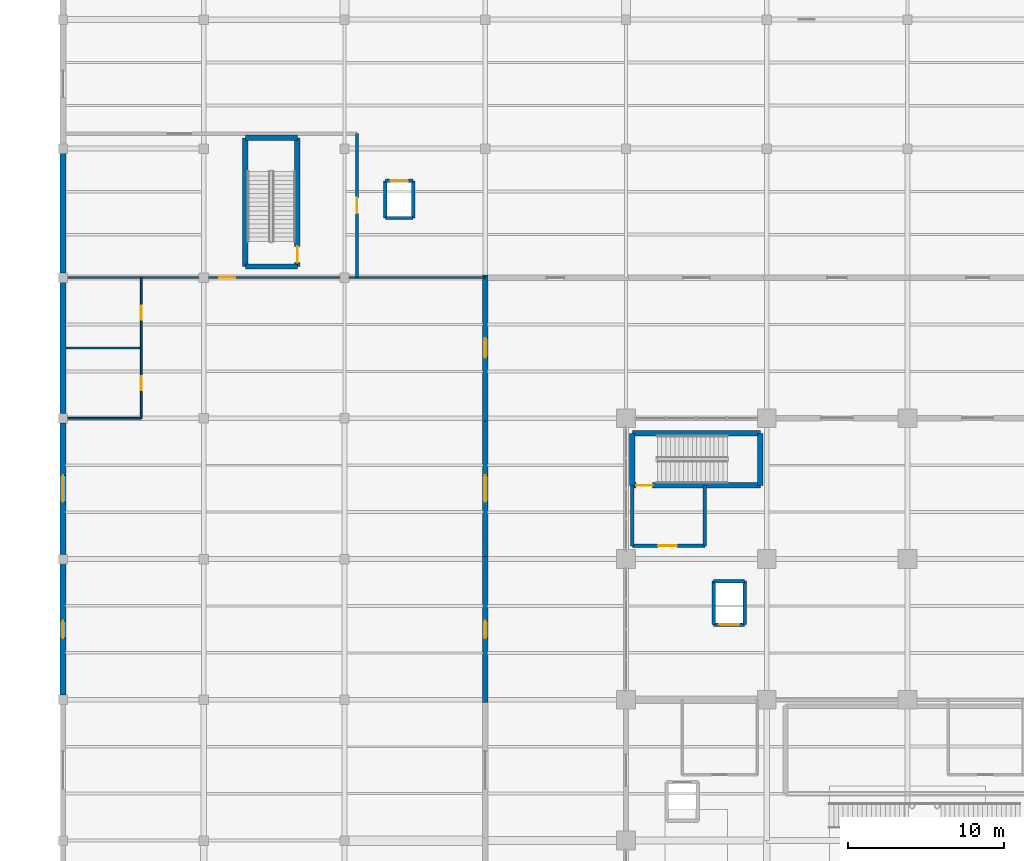
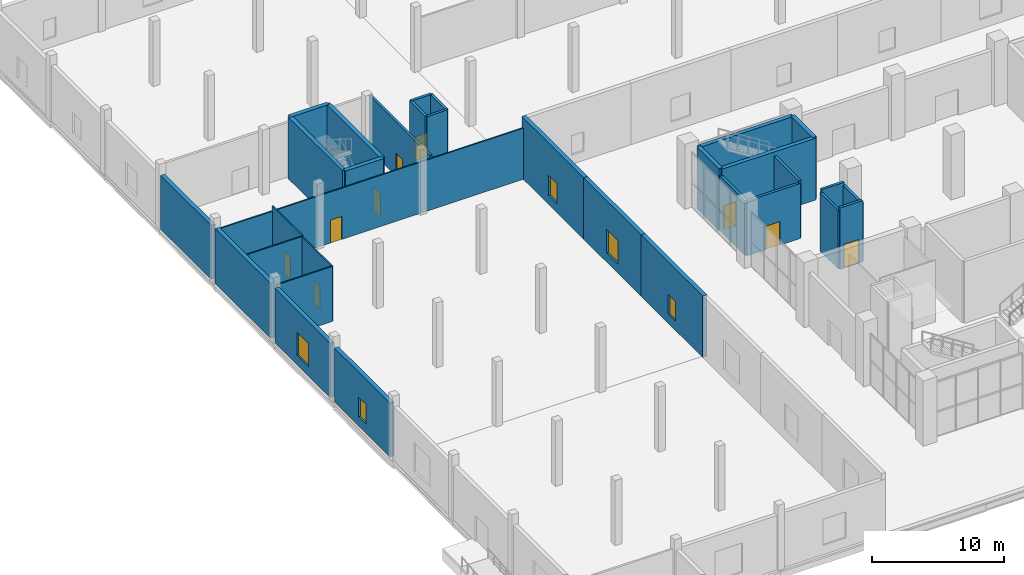
# One storey, part 126 of 144: 32 walls, 9 doors, 5 windows, 14 openings.
"""IFC4 building model written with IfcOpenShell, lengths in metres."""

from ifc_helpers import new_model, si_unit, direction, frame, frame_2d, origin, place, context, subcontext, project, spatial, rectangle, extrude, material, layer, layer_set, type_object, element, fill, save


model = new_model("IFC4")

# Units and contexts
model_context = context("Model", 3, precision=1e-05, world=origin(), true_north=direction((0.0, 1.0)))
body_context = subcontext(model_context, "Body", "Model", "MODEL_VIEW")
ifc_project = project(units=[si_unit("LENGTHUNIT", "METRE"), si_unit("AREAUNIT", "SQUARE_METRE"), si_unit("VOLUMEUNIT", "CUBIC_METRE"), si_unit("PLANEANGLEUNIT", "RADIAN"), si_unit("MASSUNIT", "GRAM", prefix="KILO")], contexts=[model_context])

# Site, building, storey
site_placement = place(None, origin())
site = spatial("IfcSite", under=ifc_project, at=site_placement, CompositionType="ELEMENT")
building_placement = place(site_placement, origin())
building = spatial("IfcBuilding", under=site, at=building_placement, Name="Sundgate Opera House", CompositionType="ELEMENT")
storey_placement = place(building_placement, origin())
storey = spatial("IfcBuildingStorey", under=building, at=storey_placement, Name="L00", CompositionType="ELEMENT", Elevation=0.0)

# Wall, opening, door
ifc_material_1 = material(Name="Concrete C40/50", Category="concrete")
ifc_layer_1 = layer(ifc_material_1, 0.35009765625)
ifc_layer_set_1 = layer_set([ifc_layer_1], Name="Concrete C40/50")
wall_type_1 = type_object("IfcWallType", Name="WL-CORE-350", PredefinedType="SHEAR", material=ifc_layer_set_1)
wall_1_placement = place(storey_placement, frame((36.409912109375, 73.7099609375, 0.0), z_axis=(0.0, 0.0, 1.0), x_axis=(1.0, 0.0, 0.0)))
wall_1 = element("IfcWall", 1, at=wall_1_placement, inside=storey, type_object=wall_type_1, Name="L00 C2 South Shaft Wall", PredefinedType="SHEAR", context=body_context, shape_type="SweptSolid", body=[
    extrude(rectangle(XDim=8.18017578125, YDim=0.35009765625, at=frame_2d((4.090087890625, 0.0))), origin(), (0.0, 0.0, 1.0), 5.699951171875),
])
opening_1_placement = place(wall_1_placement, frame((0.239990234375, 0.0, 0.0)))
opening_1 = element("IfcOpeningElement", 2, at=opening_1_placement, cuts=wall_1, Name="Opening DI01", PredefinedType="OPENING", context=body_context, shape_type="SweptSolid", body=[
    extrude(rectangle(XDim=1.050048828125, YDim=2.179931640625, at=frame_2d((0.52490234375, 1.08984375))), frame((0.0, 0.18505859375, 0.0), z_axis=(0.0, -1.0, 0.0), x_axis=(1.0, 0.0, 0.0)), (0.0, 0.0, 1.0), 0.3701171875),
])
ifc_material_2 = material(Name="Acoustic hardwood timber and steel core", Category="steel")
door_type_1 = type_object("IfcDoorType", Name="DR-STAIR-1050x2180", OperationType="NOTDEFINED", PredefinedType="DOOR", material=ifc_material_2)
door_1_placement = place(opening_1_placement, origin())
door_1 = element("IfcDoor", 3, at=door_1_placement, inside=storey, type_object=door_type_1, Name="L00 C2 Stair Door D0034", OperationType="SINGLE_SWING_RIGHT", OverallHeight=2.179931640625, OverallWidth=1.050048828125, PredefinedType="DOOR", context=body_context, shape_type="SweptSolid", body=[
    extrude(rectangle(XDim=1.050048828125, YDim=2.179931640625, at=frame_2d((0.52490234375, 1.08984375))), frame((0.0, 0.02490234375, 0.0), z_axis=(0.0, -1.0, 0.0), x_axis=(1.0, 0.0, 0.0)), (0.0, 0.0, 1.0), 0.050048828125),
])
fill(opening_1, door_1)

# Walls
wall_2_placement = place(storey_placement, frame((36.409912109375, 77.0400390625, 0.0), z_axis=(0.0, 0.0, 1.0), x_axis=(1.0, 0.0, 0.0)))
element("IfcWall", 4, at=wall_2_placement, inside=storey, type_object=wall_type_1, Name="L00 C2 North Shaft Wall", PredefinedType="SHEAR", context=body_context, shape_type="SweptSolid", body=[
    extrude(rectangle(XDim=8.18017578125, YDim=0.35009765625, at=frame_2d((4.090087890625, 0.0))), origin(), (0.0, 0.0, 1.0), 5.699951171875),
])
for number, where, z_axis, x_axis, name in (
    (5, (36.409912109375, 73.7099609375, 0.0), (0.0, 0.0, 1.0), (0.0, 1.0, 0.0), "L00 C2 West Shaft Wall"),
    (6, (44.590087890625, 73.7099609375, 0.0), (0.0, 0.0, 1.0), (0.0, 1.0, 0.0), "L00 C2 East Shaft Wall"),
    (7, (11.659912109375, 87.7099609375, 0.0), (0.0, 0.0, 1.0), (1.0, 0.0, 0.0), "L00 C8 South Shaft Wall"),
    (8, (11.659912109375, 95.93994140625, 0.0), (0.0, 0.0, 1.0), (1.0, 0.0, 0.0), "L00 C8 North Shaft Wall"),
):
    element("IfcWall", number, at=place(storey_placement, frame(where, z_axis=z_axis, x_axis=x_axis)), inside=storey, type_object=wall_type_1, Name=name, PredefinedType="SHEAR", context=body_context, shape_type="SweptSolid", body=[
        extrude(rectangle(XDim=3.330078125, YDim=0.35009765625, at=frame_2d((1.6650390625, 0.0))), origin(), (0.0, 0.0, 1.0), 5.699951171875),
    ])
wall_3_placement = place(storey_placement, frame((11.659912109375, 87.7099609375, 0.0), z_axis=(0.0, 0.0, 1.0), x_axis=(0.0, 1.0, 0.0)))
element("IfcWall", 9, at=wall_3_placement, inside=storey, type_object=wall_type_1, Name="L00 C8 West Shaft Wall", PredefinedType="SHEAR", context=body_context, shape_type="SweptSolid", body=[
    extrude(rectangle(XDim=8.22998046875, YDim=0.35009765625, at=frame_2d((4.114990234375, 0.0))), origin(), (0.0, 0.0, 1.0), 5.699951171875),
])

# Wall, opening, door
wall_4_placement = place(storey_placement, frame((14.989990234375, 87.7099609375, 0.0), z_axis=(0.0, 0.0, 1.0), x_axis=(0.0, 1.0, 0.0)))
wall_4 = element("IfcWall", 10, at=wall_4_placement, inside=storey, type_object=wall_type_1, Name="L00 C8 East Shaft Wall", PredefinedType="SHEAR", context=body_context, shape_type="SweptSolid", body=[
    extrude(rectangle(XDim=8.22998046875, YDim=0.35009765625, at=frame_2d((4.114990234375, 0.0))), origin(), (0.0, 0.0, 1.0), 5.699951171875),
])
opening_2_placement = place(wall_4_placement, frame((0.239990234375, 0.0, 0.0)))
opening_2 = element("IfcOpeningElement", 11, at=opening_2_placement, cuts=wall_4, Name="Opening DI01", PredefinedType="OPENING", context=body_context, shape_type="SweptSolid", body=[
    extrude(rectangle(XDim=1.050048828125, YDim=2.179931640625, at=frame_2d((0.52490234375, 1.08984375))), frame((0.0, 0.18505859375, 0.0), z_axis=(0.0, -1.0, 0.0), x_axis=(1.0, 0.0, 0.0)), (0.0, 0.0, 1.0), 0.3701171875),
])
door_2_placement = place(opening_2_placement, origin())
door_2 = element("IfcDoor", 12, at=door_2_placement, inside=storey, type_object=door_type_1, Name="L00 C8 Stair Door D0088", OperationType="SINGLE_SWING_RIGHT", OverallHeight=2.179931640625, OverallWidth=1.050048828125, PredefinedType="DOOR", context=body_context, shape_type="SweptSolid", body=[
    extrude(rectangle(XDim=1.050048828125, YDim=2.179931640625, at=frame_2d((0.52490234375, 1.08984375))), frame((0.0, 0.02490234375, 0.0), z_axis=(0.0, -1.0, 0.0), x_axis=(1.0, 0.0, 0.0)), (0.0, 0.0, 1.0), 0.050048828125),
])
fill(opening_2, door_2)

# Wall
ifc_material_3 = material(Name="Scanian red-brown facing brick masonry", Category="masonry")
ifc_layer_2 = layer(ifc_material_3, 0.360107421875)
ifc_layer_set_2 = layer_set([ifc_layer_2], Name="Scanian red-brown facing brick masonry")
wall_type_2 = type_object("IfcWallType", Name="WL-EXT-BRICK-360", PredefinedType="SOLIDWALL", material=ifc_layer_set_2)
wall_5_placement = place(storey_placement, frame((0.0, 94.955078125, 0.0), z_axis=(0.0, 0.0, 1.0), x_axis=(0.0, -1.0, 0.0)))
element("IfcWall", 13, at=wall_5_placement, inside=storey, type_object=wall_type_2, Name="L00 Costume Wing West Wall W0356", PredefinedType="SOLIDWALL", context=body_context, shape_type="SweptSolid", body=[
    extrude(rectangle(XDim=7.66015625, YDim=0.360107421875, at=frame_2d((3.830078125, 0.0))), origin(), (0.0, 0.0, 1.0), 4.965087890625),
])

# Wall, opening, window
wall_6_placement = place(storey_placement, frame((0.0, 68.705078125, 0.0), z_axis=(0.0, 0.0, 1.0), x_axis=(0.0, -1.0, 0.0)))
wall_6 = element("IfcWall", 14, at=wall_6_placement, inside=storey, type_object=wall_type_2, Name="L00 Costume Wing West_Link Wall W0364", PredefinedType="SOLIDWALL", context=body_context, shape_type="SweptSolid", body=[
    extrude(rectangle(XDim=8.41015625, YDim=0.360107421875, at=frame_2d((4.205078125, 0.0))), origin(), (0.0, 0.0, 1.0), 4.965087890625),
])
opening_3_placement = place(wall_6_placement, frame((3.655029296875, 0.0, 0.85009765625)))
opening_3 = element("IfcOpeningElement", 15, at=opening_3_placement, cuts=wall_6, Name="Opening W12", PredefinedType="OPENING", context=body_context, shape_type="SweptSolid", body=[
    extrude(rectangle(XDim=1.10009765625, YDim=1.800048828125, at=frame_2d((0.550048828125, 0.89990234375))), frame((0.0, 0.18994140625, 0.0), z_axis=(0.0, -1.0, 0.0), x_axis=(1.0, 0.0, 0.0)), (0.0, 0.0, 1.0), 0.380126953125),
])
ifc_material_4 = material(Name="Low-iron triple glazing in patinated bronze frame", Category="glass")
window_type_1 = type_object("IfcWindowType", Name="WN-STAGE-1100x1800", PartitioningType="SINGLE_PANEL", PredefinedType="WINDOW", material=ifc_material_4)
window_1_placement = place(opening_3_placement, origin())
window_1 = element("IfcWindow", 16, at=window_1_placement, inside=storey, type_object=window_type_1, Name="L00 Costume Pavilion Window WN0279", OverallHeight=1.800048828125, OverallWidth=1.10009765625, PartitioningType="SINGLE_PANEL", PredefinedType="WINDOW", context=body_context, shape_type="SweptSolid", body=[
    extrude(rectangle(XDim=1.10009765625, YDim=1.800048828125, at=frame_2d((0.550048828125, 0.89990234375))), frame((0.0, 0.030029296875, 0.0), z_axis=(0.0, -1.0, 0.0), x_axis=(1.0, 0.0, 0.0)), (0.0, 0.0, 1.0), 0.06005859375),
])
fill(opening_3, window_1)

wall_7_placement = place(storey_placement, frame((27.0, 59.840087890625, 0.0), z_axis=(0.0, 0.0, 1.0), x_axis=(0.0, 1.0, 0.0)))
wall_7 = element("IfcWall", 17, at=wall_7_placement, inside=storey, type_object=wall_type_2, Name="L00 Costume Wing East_Link Wall W0365", PredefinedType="SOLIDWALL", context=body_context, shape_type="SweptSolid", body=[
    extrude(rectangle(XDim=9.31982421875, YDim=0.360107421875, at=frame_2d((4.659912109375, 0.0))), origin(), (0.0, 0.0, 1.0), 5.6650390625),
])
opening_4_placement = place(wall_7_placement, frame((4.110107421875, 0.0, 0.85009765625)))
opening_4 = element("IfcOpeningElement", 18, at=opening_4_placement, cuts=wall_7, Name="Opening W12", PredefinedType="OPENING", context=body_context, shape_type="SweptSolid", body=[
    extrude(rectangle(XDim=1.10009765625, YDim=1.800048828125, at=frame_2d((0.550048828125, 0.89990234375))), frame((0.0, 0.18994140625, 0.0), z_axis=(0.0, -1.0, 0.0), x_axis=(1.0, 0.0, 0.0)), (0.0, 0.0, 1.0), 0.380126953125),
])
window_2_placement = place(opening_4_placement, origin())
window_2 = element("IfcWindow", 19, at=window_2_placement, inside=storey, type_object=window_type_1, Name="L00 Costume Pavilion Window WN0280", OverallHeight=1.800048828125, OverallWidth=1.10009765625, PartitioningType="SINGLE_PANEL", PredefinedType="WINDOW", context=body_context, shape_type="SweptSolid", body=[
    extrude(rectangle(XDim=1.10009765625, YDim=1.800048828125, at=frame_2d((0.550048828125, 0.89990234375))), frame((0.0, 0.030029296875, 0.0), z_axis=(0.0, -1.0, 0.0), x_axis=(1.0, 0.0, 0.0)), (0.0, 0.0, 1.0), 0.06005859375),
])
fill(opening_4, window_2)

wall_8_placement = place(storey_placement, frame((0.0, 77.705078125, 0.0), z_axis=(0.0, 0.0, 1.0), x_axis=(0.0, -1.0, 0.0)))
wall_8 = element("IfcWall", 20, at=wall_8_placement, inside=storey, type_object=wall_type_2, Name="L00 Costume Wing West_Link Wall W0366", PredefinedType="SOLIDWALL", context=body_context, shape_type="SweptSolid", body=[
    extrude(rectangle(XDim=8.41015625, YDim=0.360107421875, at=frame_2d((4.205078125, 0.0))), origin(), (0.0, 0.0, 1.0), 5.014892578125),
])
opening_5_placement = place(wall_8_placement, frame((3.35498046875, 0.0, 0.85009765625)))
opening_5 = element("IfcOpeningElement", 21, at=opening_5_placement, cuts=wall_8, Name="Opening W13", PredefinedType="OPENING", context=body_context, shape_type="SweptSolid", body=[
    extrude(rectangle(XDim=1.699951171875, YDim=2.14990234375, at=frame_2d((0.85009765625, 1.074951171875))), frame((0.0, 0.18994140625, 0.0), z_axis=(0.0, -1.0, 0.0), x_axis=(1.0, 0.0, 0.0)), (0.0, 0.0, 1.0), 0.380126953125),
])
ifc_material_5 = material(Name="Low-iron triple glazing in patinated bronze frame", Category="glass")
window_type_2 = type_object("IfcWindowType", Name="WN-GALL-1700x2150", PartitioningType="SINGLE_PANEL", PredefinedType="WINDOW", material=ifc_material_5)
window_3_placement = place(opening_5_placement, origin())
window_3 = element("IfcWindow", 22, at=window_3_placement, inside=storey, type_object=window_type_2, Name="L00 Costume Pavilion Window WN0281", OverallHeight=2.14990234375, OverallWidth=1.699951171875, PartitioningType="SINGLE_PANEL", PredefinedType="WINDOW", context=body_context, shape_type="SweptSolid", body=[
    extrude(rectangle(XDim=1.699951171875, YDim=2.14990234375, at=frame_2d((0.85009765625, 1.074951171875))), frame((0.0, 0.030029296875, 0.0), z_axis=(0.0, -1.0, 0.0), x_axis=(1.0, 0.0, 0.0)), (0.0, 0.0, 1.0), 0.06005859375),
])
fill(opening_5, window_3)

wall_9_placement = place(storey_placement, frame((27.0, 68.840087890625, 0.0), z_axis=(0.0, 0.0, 1.0), x_axis=(0.0, 1.0, 0.0)))
wall_9 = element("IfcWall", 23, at=wall_9_placement, inside=storey, type_object=wall_type_2, Name="L00 Costume Wing East_Link Wall W0367", PredefinedType="SOLIDWALL", context=body_context, shape_type="SweptSolid", body=[
    extrude(rectangle(XDim=9.31982421875, YDim=0.360107421875, at=frame_2d((4.659912109375, 0.0))), origin(), (0.0, 0.0, 1.0), 5.6650390625),
])
opening_6_placement = place(wall_9_placement, frame((3.81005859375, 0.0, 0.85009765625)))
opening_6 = element("IfcOpeningElement", 24, at=opening_6_placement, cuts=wall_9, Name="Opening W13", PredefinedType="OPENING", context=body_context, shape_type="SweptSolid", body=[
    extrude(rectangle(XDim=1.699951171875, YDim=2.14990234375, at=frame_2d((0.85009765625, 1.074951171875))), frame((0.0, 0.18994140625, 0.0), z_axis=(0.0, -1.0, 0.0), x_axis=(1.0, 0.0, 0.0)), (0.0, 0.0, 1.0), 0.380126953125),
])
window_4_placement = place(opening_6_placement, origin())
window_4 = element("IfcWindow", 25, at=window_4_placement, inside=storey, type_object=window_type_2, Name="L00 Costume Pavilion Window WN0282", OverallHeight=2.14990234375, OverallWidth=1.699951171875, PartitioningType="SINGLE_PANEL", PredefinedType="WINDOW", context=body_context, shape_type="SweptSolid", body=[
    extrude(rectangle(XDim=1.699951171875, YDim=2.14990234375, at=frame_2d((0.85009765625, 1.074951171875))), frame((0.0, 0.030029296875, 0.0), z_axis=(0.0, -1.0, 0.0), x_axis=(1.0, 0.0, 0.0)), (0.0, 0.0, 1.0), 0.06005859375),
])
fill(opening_6, window_4)

# Wall
wall_10_placement = place(storey_placement, frame((0.0, 86.705078125, 0.0), z_axis=(0.0, 0.0, 1.0), x_axis=(0.0, -1.0, 0.0)))
element("IfcWall", 26, at=wall_10_placement, inside=storey, type_object=wall_type_2, Name="L00 Costume Wing West_Link Wall W0368", PredefinedType="SOLIDWALL", context=body_context, shape_type="SweptSolid", body=[
    extrude(rectangle(XDim=8.41015625, YDim=0.360107421875, at=frame_2d((4.205078125, 0.0))), origin(), (0.0, 0.0, 1.0), 5.06494140625),
])

# Wall, opening, window
wall_11_placement = place(storey_placement, frame((27.0, 77.840087890625, 0.0), z_axis=(0.0, 0.0, 1.0), x_axis=(0.0, 1.0, 0.0)))
wall_11 = element("IfcWall", 27, at=wall_11_placement, inside=storey, type_object=wall_type_2, Name="L00 Costume Wing East_Link Wall W0369", PredefinedType="SOLIDWALL", context=body_context, shape_type="SweptSolid", body=[
    extrude(rectangle(XDim=9.31982421875, YDim=0.360107421875, at=frame_2d((4.659912109375, 0.0))), origin(), (0.0, 0.0, 1.0), 5.6650390625),
])
opening_7_placement = place(wall_11_placement, frame((4.034912109375, 0.0, 0.85009765625)))
opening_7 = element("IfcOpeningElement", 28, at=opening_7_placement, cuts=wall_11, Name="Opening W14", PredefinedType="OPENING", context=body_context, shape_type="SweptSolid", body=[
    extrude(rectangle(XDim=1.25, YDim=1.85009765625, at=frame_2d((0.625, 0.925048828125))), frame((0.0, 0.18994140625, 0.0), z_axis=(0.0, -1.0, 0.0), x_axis=(1.0, 0.0, 0.0)), (0.0, 0.0, 1.0), 0.380126953125),
])
ifc_material_6 = material(Name="Low-iron triple glazing in patinated bronze frame", Category="glass")
window_type_3 = type_object("IfcWindowType", Name="WN-DRES-1250x1850", PartitioningType="SINGLE_PANEL", PredefinedType="WINDOW", material=ifc_material_6)
window_5_placement = place(opening_7_placement, origin())
window_5 = element("IfcWindow", 29, at=window_5_placement, inside=storey, type_object=window_type_3, Name="L00 Costume Pavilion Window WN0283", OverallHeight=1.85009765625, OverallWidth=1.25, PartitioningType="SINGLE_PANEL", PredefinedType="WINDOW", context=body_context, shape_type="SweptSolid", body=[
    extrude(rectangle(XDim=1.25, YDim=1.85009765625, at=frame_2d((0.625, 0.925048828125))), frame((0.0, 0.030029296875, 0.0), z_axis=(0.0, -1.0, 0.0), x_axis=(1.0, 0.0, 0.0)), (0.0, 0.0, 1.0), 0.06005859375),
])
fill(opening_7, window_5)

# Wall, opening, door
ifc_material_7 = material(Name="Fire-rated corridor partition", Category="gypsum")
ifc_layer_3 = layer(ifc_material_7, 0.199951171875)
ifc_layer_set_3 = layer_set([ifc_layer_3], Name="Fire-rated corridor partition")
wall_type_3 = type_object("IfcWallType", Name="WL-INT-FIRE-200", PredefinedType="PARTITIONING", material=ifc_layer_set_3)
wall_12_placement = place(storey_placement, frame((18.800048828125, 87.0, 0.0), z_axis=(0.0, 0.0, 1.0), x_axis=(0.0, 1.0, 0.0)))
wall_12 = element("IfcWall", 30, at=wall_12_placement, inside=storey, type_object=wall_type_3, Name="L00 Interior Partition W1005", PredefinedType="PARTITIONING", context=body_context, shape_type="SweptSolid", body=[
    extrude(rectangle(XDim=9.199951171875, YDim=0.199951171875, at=frame_2d((4.60009765625, 0.0))), origin(), (0.0, 0.0, 1.0), 5.014892578125),
])
opening_8_placement = place(wall_12_placement, frame((4.10009765625, 0.0, 0.0)))
opening_8 = element("IfcOpeningElement", 31, at=opening_8_placement, cuts=wall_12, Name="Opening DI10", PredefinedType="OPENING", context=body_context, shape_type="SweptSolid", body=[
    extrude(rectangle(XDim=1.0, YDim=2.1201171875, at=frame_2d((0.5, 1.06005859375))), frame((0.0, 0.10986328125, 0.0), z_axis=(0.0, -1.0, 0.0), x_axis=(1.0, 0.0, 0.0)), (0.0, 0.0, 1.0), 0.219970703125),
])
ifc_material_8 = material(Name="Acoustic hardwood timber and steel core", Category="steel")
door_type_2 = type_object("IfcDoorType", Name="DR-UNR-1000x2120", OperationType="NOTDEFINED", PredefinedType="DOOR", material=ifc_material_8)
door_3_placement = place(opening_8_placement, origin())
door_3 = element("IfcDoor", 32, at=door_3_placement, inside=storey, type_object=door_type_2, Name="L00 Interior Door D0180", OperationType="SINGLE_SWING_LEFT", OverallHeight=2.1201171875, OverallWidth=1.0, PredefinedType="DOOR", context=body_context, shape_type="SweptSolid", body=[
    extrude(rectangle(XDim=1.0, YDim=2.1201171875, at=frame_2d((0.5, 1.06005859375))), frame((0.0, 0.02490234375, 0.0), z_axis=(0.0, -1.0, 0.0), x_axis=(1.0, 0.0, 0.0)), (0.0, 0.0, 1.0), 0.050048828125),
])
fill(opening_8, door_3)

ifc_material_9 = material(Name="Fire-rated gypsum and mineral-wool shaft partition", Category="gypsum")
ifc_layer_4 = layer(ifc_material_9, 0.219970703125)
ifc_layer_set_4 = layer_set([ifc_layer_4], Name="Fire-rated gypsum and mineral-wool shaft partition")
wall_type_4 = type_object("IfcWallType", Name="WL-INT-FIRE-220", PredefinedType="PARTITIONING", material=ifc_layer_set_4)
wall_13_placement = place(storey_placement, frame((36.409912109375, 69.85009765625, 0.0), z_axis=(0.0, 0.0, 1.0), x_axis=(1.0, 0.0, 0.0)))
wall_13 = element("IfcWall", 33, at=wall_13_placement, inside=storey, type_object=wall_type_4, Name="L00 C2 Firefighting Lobby South Wall", PredefinedType="PARTITIONING", context=body_context, shape_type="SweptSolid", body=[
    extrude(rectangle(XDim=4.64013671875, YDim=0.219970703125, at=frame_2d((2.320068359375, 0.0))), origin(), (0.0, 0.0, 1.0), 5.06494140625),
])
opening_9_placement = place(wall_13_placement, frame((1.64990234375, 0.0, 0.0)))
opening_9 = element("IfcOpeningElement", 34, at=opening_9_placement, cuts=wall_13, Name="Opening DI02", PredefinedType="OPENING", context=body_context, shape_type="SweptSolid", body=[
    extrude(rectangle(XDim=1.199951171875, YDim=2.179931640625, at=frame_2d((0.60009765625, 1.08984375))), frame((0.0, 0.119873046875, 0.0), z_axis=(0.0, -1.0, 0.0), x_axis=(1.0, 0.0, 0.0)), (0.0, 0.0, 1.0), 0.239990234375),
])
ifc_material_10 = material(Name="Acoustic hardwood timber and steel core", Category="steel")
door_type_3 = type_object("IfcDoorType", Name="DR-FFLOB-1200x2180", OperationType="NOTDEFINED", PredefinedType="DOOR", material=ifc_material_10)
door_4_placement = place(opening_9_placement, origin())
door_4 = element("IfcDoor", 35, at=door_4_placement, inside=storey, type_object=door_type_3, Name="L00 C2 Firefighting Lobby Door D0035", OperationType="SINGLE_SWING_LEFT", OverallHeight=2.179931640625, OverallWidth=1.199951171875, PredefinedType="DOOR", context=body_context, shape_type="SweptSolid", body=[
    extrude(rectangle(XDim=1.199951171875, YDim=2.179931640625, at=frame_2d((0.60009765625, 1.08984375))), frame((0.0, 0.02490234375, 0.0), z_axis=(0.0, -1.0, 0.0), x_axis=(1.0, 0.0, 0.0)), (0.0, 0.0, 1.0), 0.050048828125),
])
fill(opening_9, door_4)

# Walls
wall_14_placement = place(storey_placement, frame((36.409912109375, 69.85009765625, 0.0), z_axis=(0.0, 0.0, 1.0), x_axis=(0.0, 1.0, 0.0)))
element("IfcWall", 36, at=wall_14_placement, inside=storey, type_object=wall_type_4, Name="L00 C2 Firefighting Lobby West Wall", PredefinedType="PARTITIONING", context=body_context, shape_type="SweptSolid", body=[
    extrude(rectangle(XDim=3.85986328125, YDim=0.219970703125, at=frame_2d((1.929931640625, 0.0))), origin(), (0.0, 0.0, 1.0), 5.06494140625),
])
wall_15_placement = place(storey_placement, frame((41.050048828125, 69.85009765625, 0.0), z_axis=(0.0, 0.0, 1.0), x_axis=(0.0, 1.0, 0.0)))
element("IfcWall", 37, at=wall_15_placement, inside=storey, type_object=wall_type_4, Name="L00 C2 Firefighting Lobby East Wall", PredefinedType="PARTITIONING", context=body_context, shape_type="SweptSolid", body=[
    extrude(rectangle(XDim=3.85986328125, YDim=0.219970703125, at=frame_2d((1.929931640625, 0.0))), origin(), (0.0, 0.0, 1.0), 5.304931640625),
])
wall_16_placement = place(storey_placement, frame((20.610107421875, 90.81005859375, 0.0), z_axis=(0.0, 0.0, 1.0), x_axis=(1.0, 0.0, 0.0)))
element("IfcWall", 38, at=wall_16_placement, inside=storey, type_object=wall_type_4, Name="L00 LF-06 South Shaft Wall", PredefinedType="PARTITIONING", context=body_context, shape_type="SweptSolid", body=[
    extrude(rectangle(XDim=1.77978515625, YDim=0.219970703125, at=frame_2d((0.889892578125, 0.0))), origin(), (0.0, 0.0, 1.0), 5.6650390625),
])

# Wall, opening, door
wall_17_placement = place(storey_placement, frame((20.610107421875, 93.18994140625, 0.0), z_axis=(0.0, 0.0, 1.0), x_axis=(1.0, 0.0, 0.0)))
wall_17 = element("IfcWall", 39, at=wall_17_placement, inside=storey, type_object=wall_type_4, Name="L00 LF-06 North Shaft Wall", PredefinedType="PARTITIONING", context=body_context, shape_type="SweptSolid", body=[
    extrude(rectangle(XDim=1.77978515625, YDim=0.219970703125, at=frame_2d((0.889892578125, 0.0))), origin(), (0.0, 0.0, 1.0), 5.6650390625),
])
opening_10_placement = place(wall_17_placement, frame((0.340087890625, 0.0, 0.0)))
opening_10 = element("IfcOpeningElement", 40, at=opening_10_placement, cuts=wall_17, Name="Opening LD1", PredefinedType="OPENING", context=body_context, shape_type="SweptSolid", body=[
    extrude(rectangle(XDim=1.10009765625, YDim=2.179931640625, at=frame_2d((0.550048828125, 1.08984375))), frame((0.0, 0.119873046875, 0.0), z_axis=(0.0, -1.0, 0.0), x_axis=(1.0, 0.0, 0.0)), (0.0, 0.0, 1.0), 0.239990234375),
])
ifc_material_11 = material(Name="Brushed stainless steel EN 1.4301", Category="steel")
door_type_4 = type_object("IfcDoorType", Name="DR-LIFT-1100x2180", OperationType="DOUBLE_DOOR_SLIDING", PredefinedType="DOOR", material=ifc_material_11)
door_5_placement = place(opening_10_placement, origin())
door_5 = element("IfcDoor", 41, at=door_5_placement, inside=storey, type_object=door_type_4, Name="L00 LF-06 Landing Door D0124", OperationType="DOUBLE_DOOR_SLIDING", OverallHeight=2.179931640625, OverallWidth=1.10009765625, PredefinedType="DOOR", context=body_context, shape_type="SweptSolid", body=[
    extrude(rectangle(XDim=1.10009765625, YDim=2.179931640625, at=frame_2d((0.550048828125, 1.08984375))), frame((0.0, 0.02490234375, 0.0), z_axis=(0.0, -1.0, 0.0), x_axis=(1.0, 0.0, 0.0)), (0.0, 0.0, 1.0), 0.050048828125),
])
fill(opening_10, door_5)

# Walls
for number, where, z_axis, x_axis, name in (
    (42, (20.610107421875, 90.81005859375, 0.0), (0.0, 0.0, 1.0), (0.0, 1.0, 0.0), "L00 LF-06 West Shaft Wall"),
    (43, (22.389892578125, 90.81005859375, 0.0), (0.0, 0.0, 1.0), (0.0, 1.0, 0.0), "L00 LF-06 East Shaft Wall"),
):
    element("IfcWall", number, at=place(storey_placement, frame(where, z_axis=z_axis, x_axis=x_axis)), inside=storey, type_object=wall_type_4, Name=name, PredefinedType="PARTITIONING", context=body_context, shape_type="SweptSolid", body=[
        extrude(rectangle(XDim=2.3798828125, YDim=0.219970703125, at=frame_2d((1.18994140625, 0.0))), origin(), (0.0, 0.0, 1.0), 5.6650390625),
    ])

# Wall, opening, door
wall_18_placement = place(storey_placement, frame((41.610107421875, 64.81005859375, 0.0), z_axis=(0.0, 0.0, 1.0), x_axis=(1.0, 0.0, 0.0)))
wall_18 = element("IfcWall", 44, at=wall_18_placement, inside=storey, type_object=wall_type_4, Name="L00 FF1 South Shaft Wall", PredefinedType="PARTITIONING", context=body_context, shape_type="SweptSolid", body=[
    extrude(rectangle(XDim=1.97998046875, YDim=0.219970703125, at=frame_2d((0.989990234375, 0.0))), origin(), (0.0, 0.0, 1.0), 5.6650390625),
])
opening_11_placement = place(wall_18_placement, frame((0.340087890625, 0.0, 0.0)))
opening_11 = element("IfcOpeningElement", 45, at=opening_11_placement, cuts=wall_18, Name="Opening LD2", PredefinedType="OPENING", context=body_context, shape_type="SweptSolid", body=[
    extrude(rectangle(XDim=1.300048828125, YDim=2.199951171875, at=frame_2d((0.64990234375, 1.10009765625))), frame((0.0, 0.119873046875, 0.0), z_axis=(0.0, -1.0, 0.0), x_axis=(1.0, 0.0, 0.0)), (0.0, 0.0, 1.0), 0.239990234375),
])
ifc_material_12 = material(Name="Brushed stainless steel EN 1.4301", Category="steel")
door_type_5 = type_object("IfcDoorType", Name="DR-LIFT-1300x2200", OperationType="DOUBLE_DOOR_SLIDING", PredefinedType="DOOR", material=ifc_material_12)
door_6_placement = place(opening_11_placement, origin())
door_6 = element("IfcDoor", 46, at=door_6_placement, inside=storey, type_object=door_type_5, Name="L00 FF1 Landing Door D0129", OperationType="DOUBLE_DOOR_SLIDING", OverallHeight=2.199951171875, OverallWidth=1.300048828125, PredefinedType="DOOR", context=body_context, shape_type="SweptSolid", body=[
    extrude(rectangle(XDim=1.300048828125, YDim=2.199951171875, at=frame_2d((0.64990234375, 1.10009765625))), frame((0.0, 0.02490234375, 0.0), z_axis=(0.0, -1.0, 0.0), x_axis=(1.0, 0.0, 0.0)), (0.0, 0.0, 1.0), 0.050048828125),
])
fill(opening_11, door_6)

# Walls
wall_19_placement = place(storey_placement, frame((41.610107421875, 67.590087890625, 0.0), z_axis=(0.0, 0.0, 1.0), x_axis=(1.0, 0.0, 0.0)))
element("IfcWall", 47, at=wall_19_placement, inside=storey, type_object=wall_type_4, Name="L00 FF1 North Shaft Wall", PredefinedType="PARTITIONING", context=body_context, shape_type="SweptSolid", body=[
    extrude(rectangle(XDim=1.97998046875, YDim=0.219970703125, at=frame_2d((0.989990234375, 0.0))), origin(), (0.0, 0.0, 1.0), 5.6650390625),
])
for number, where, z_axis, x_axis, name in (
    (48, (41.610107421875, 64.81005859375, 0.0), (0.0, 0.0, 1.0), (0.0, 1.0, 0.0), "L00 FF1 West Shaft Wall"),
    (49, (43.590087890625, 64.81005859375, 0.0), (0.0, 0.0, 1.0), (0.0, 1.0, 0.0), "L00 FF1 East Shaft Wall"),
):
    element("IfcWall", number, at=place(storey_placement, frame(where, z_axis=z_axis, x_axis=x_axis)), inside=storey, type_object=wall_type_4, Name=name, PredefinedType="PARTITIONING", context=body_context, shape_type="SweptSolid", body=[
        extrude(rectangle(XDim=2.780029296875, YDim=0.219970703125, at=frame_2d((1.39013671875, 0.0))), origin(), (0.0, 0.0, 1.0), 5.39501953125),
    ])
ifc_material_13 = material(Name="Moisture-resistant sanitary partition", Category="gypsum")
ifc_layer_5 = layer(ifc_material_13, 0.114990234375)
ifc_layer_set_5 = layer_set([ifc_layer_5], Name="Moisture-resistant sanitary partition")
wall_type_5 = type_object("IfcWallType", Name="WL-INT-WET-115", PredefinedType="PARTITIONING", material=ifc_layer_set_5)
wall_20_placement = place(storey_placement, frame((0.199951171875, 78.0, 0.0), z_axis=(0.0, 0.0, 1.0), x_axis=(1.0, 0.0, 0.0)))
element("IfcWall", 50, at=wall_20_placement, inside=storey, type_object=wall_type_5, Name="L00 Interior Partition W1020", PredefinedType="PARTITIONING", context=body_context, shape_type="SweptSolid", body=[
    extrude(rectangle(XDim=4.800048828125, YDim=0.114990234375, at=frame_2d((2.39990234375, 0.0))), origin(), (0.0, 0.0, 1.0), 5.06494140625),
])
wall_21_placement = place(storey_placement, frame((0.199951171875, 82.5, 0.0), z_axis=(0.0, 0.0, 1.0), x_axis=(1.0, 0.0, 0.0)))
element("IfcWall", 51, at=wall_21_placement, inside=storey, type_object=wall_type_5, Name="L00 Interior Partition W1021", PredefinedType="PARTITIONING", context=body_context, shape_type="SweptSolid", body=[
    extrude(rectangle(XDim=4.800048828125, YDim=0.114990234375, at=frame_2d((2.39990234375, 0.0))), origin(), (0.0, 0.0, 1.0), 5.114990234375),
])

# Wall, opening, door
wall_22_placement = place(storey_placement, frame((0.199951171875, 87.0, 0.0), z_axis=(0.0, 0.0, 1.0), x_axis=(1.0, 0.0, 0.0)))
wall_22 = element("IfcWall", 52, at=wall_22_placement, inside=storey, type_object=wall_type_5, Name="L00 Interior Partition W1022", PredefinedType="PARTITIONING", context=body_context, shape_type="SweptSolid", body=[
    extrude(rectangle(XDim=26.800048828125, YDim=0.114990234375, at=frame_2d((13.39990234375, 0.0))), origin(), (0.0, 0.0, 1.0), 4.715087890625),
])
opening_12_placement = place(wall_22_placement, frame((9.803955078125, 0.0, 0.0)))
opening_12 = element("IfcOpeningElement", 53, at=opening_12_placement, cuts=wall_22, Name="Opening DI10", PredefinedType="OPENING", context=body_context, shape_type="SweptSolid", body=[
    extrude(rectangle(XDim=1.0, YDim=2.1201171875, at=frame_2d((0.5, 1.06005859375))), frame((0.0, 0.0673828125, 0.0), z_axis=(0.0, -1.0, 0.0), x_axis=(1.0, 0.0, 0.0)), (0.0, 0.0, 1.0), 0.135009765625),
])
door_7_placement = place(opening_12_placement, origin())
door_7 = element("IfcDoor", 54, at=door_7_placement, inside=storey, type_object=door_type_2, Name="L00 Interior Door D0194", OperationType="SINGLE_SWING_RIGHT", OverallHeight=2.1201171875, OverallWidth=1.0, PredefinedType="DOOR", context=body_context, shape_type="SweptSolid", body=[
    extrude(rectangle(XDim=1.0, YDim=2.1201171875, at=frame_2d((0.5, 1.06005859375))), frame((0.0, 0.02490234375, 0.0), z_axis=(0.0, -1.0, 0.0), x_axis=(1.0, 0.0, 0.0)), (0.0, 0.0, 1.0), 0.050048828125),
])
fill(opening_12, door_7)

wall_23_placement = place(storey_placement, frame((5.0, 78.0, 0.0), z_axis=(0.0, 0.0, 1.0), x_axis=(0.0, 1.0, 0.0)))
wall_23 = element("IfcWall", 55, at=wall_23_placement, inside=storey, type_object=wall_type_5, Name="L00 Interior Partition W1023", PredefinedType="PARTITIONING", context=body_context, shape_type="SweptSolid", body=[
    extrude(rectangle(XDim=4.5, YDim=0.114990234375, at=frame_2d((2.25, 0.0))), origin(), (0.0, 0.0, 1.0), 5.06494140625),
])
opening_13_placement = place(wall_23_placement, frame((1.81005859375, 0.0, 0.0)))
opening_13 = element("IfcOpeningElement", 56, at=opening_13_placement, cuts=wall_23, Name="Opening DI13", PredefinedType="OPENING", context=body_context, shape_type="SweptSolid", body=[
    extrude(rectangle(XDim=0.8798828125, YDim=2.06005859375, at=frame_2d((0.43994140625, 1.030029296875))), frame((0.0, 0.0673828125, 0.0), z_axis=(0.0, -1.0, 0.0), x_axis=(1.0, 0.0, 0.0)), (0.0, 0.0, 1.0), 0.135009765625),
])
ifc_material_14 = material(Name="Acoustic hardwood timber and steel core", Category="steel")
door_type_6 = type_object("IfcDoorType", Name="DR-WC-880x2060", OperationType="NOTDEFINED", PredefinedType="DOOR", material=ifc_material_14)
door_8_placement = place(opening_13_placement, origin())
door_8 = element("IfcDoor", 57, at=door_8_placement, inside=storey, type_object=door_type_6, Name="L00 Interior Door D0195", OperationType="SINGLE_SWING_LEFT", OverallHeight=2.06005859375, OverallWidth=0.8798828125, PredefinedType="DOOR", context=body_context, shape_type="SweptSolid", body=[
    extrude(rectangle(XDim=0.8798828125, YDim=2.06005859375, at=frame_2d((0.43994140625, 1.030029296875))), frame((0.0, 0.02490234375, 0.0), z_axis=(0.0, -1.0, 0.0), x_axis=(1.0, 0.0, 0.0)), (0.0, 0.0, 1.0), 0.050048828125),
])
fill(opening_13, door_8)

wall_24_placement = place(storey_placement, frame((5.0, 82.5, 0.0), z_axis=(0.0, 0.0, 1.0), x_axis=(0.0, 1.0, 0.0)))
wall_24 = element("IfcWall", 58, at=wall_24_placement, inside=storey, type_object=wall_type_5, Name="L00 Interior Partition W1024", PredefinedType="PARTITIONING", context=body_context, shape_type="SweptSolid", body=[
    extrude(rectangle(XDim=4.5, YDim=0.114990234375, at=frame_2d((2.25, 0.0))), origin(), (0.0, 0.0, 1.0), 5.175048828125),
])
opening_14_placement = place(wall_24_placement, frame((1.7900390625, 0.0, 0.0)))
opening_14 = element("IfcOpeningElement", 59, at=opening_14_placement, cuts=wall_24, Name="Opening DI12", PredefinedType="OPENING", context=body_context, shape_type="SweptSolid", body=[
    extrude(rectangle(XDim=0.919921875, YDim=2.080078125, at=frame_2d((0.4599609375, 1.0400390625))), frame((0.0, 0.0673828125, 0.0), z_axis=(0.0, -1.0, 0.0), x_axis=(1.0, 0.0, 0.0)), (0.0, 0.0, 1.0), 0.135009765625),
])
ifc_material_15 = material(Name="Acoustic hardwood timber and steel core", Category="steel")
door_type_7 = type_object("IfcDoorType", Name="DR-WC-920x2080", OperationType="NOTDEFINED", PredefinedType="DOOR", material=ifc_material_15)
door_9_placement = place(opening_14_placement, origin())
door_9 = element("IfcDoor", 60, at=door_9_placement, inside=storey, type_object=door_type_7, Name="L00 Interior Door D0196", OperationType="SINGLE_SWING_RIGHT", OverallHeight=2.080078125, OverallWidth=0.919921875, PredefinedType="DOOR", context=body_context, shape_type="SweptSolid", body=[
    extrude(rectangle(XDim=0.919921875, YDim=2.080078125, at=frame_2d((0.4599609375, 1.0400390625))), frame((0.0, 0.02490234375, 0.0), z_axis=(0.0, -1.0, 0.0), x_axis=(1.0, 0.0, 0.0)), (0.0, 0.0, 1.0), 0.050048828125),
])
fill(opening_14, door_9)

save(model, "model.ifc")
